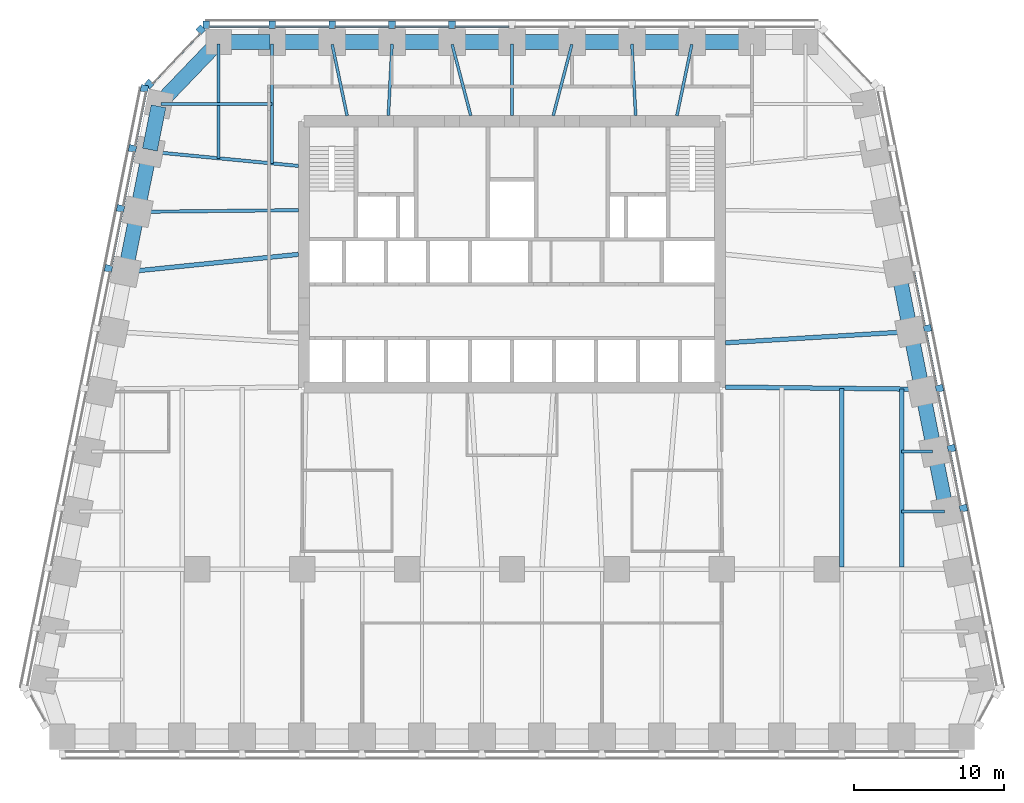
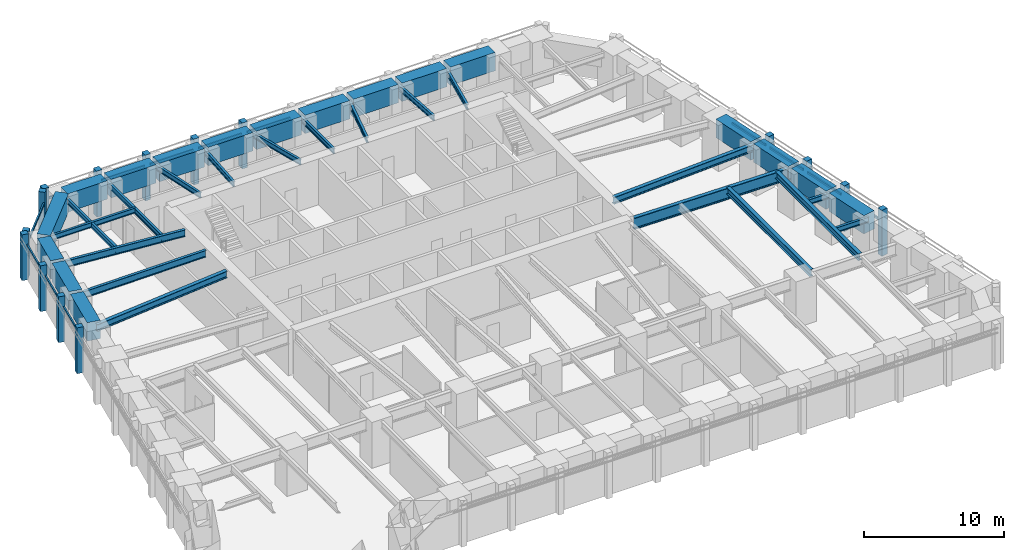
# One storey, part 3 of 9: 36 beams, 28 members, 4 elements without a shape of their own.
"""IFC4 building model written with IfcOpenShell, lengths in metres."""

from ifc_helpers import new_model, si_unit, direction, frame, origin, origin_2d, place, context, subcontext, project, spatial, rectangle, i_section, extrude, material, material_profile, profile_set, type_object, element, aggregate, save


model = new_model("IFC4")

# Units and contexts
model_context = context("Model", 3, precision=1e-05, world=origin(), true_north=direction((0.0, 1.0)))
body_context = subcontext(model_context, "Body", "Model", "MODEL_VIEW")
ifc_project = project(units=[si_unit("LENGTHUNIT", "METRE"), si_unit("AREAUNIT", "SQUARE_METRE"), si_unit("VOLUMEUNIT", "CUBIC_METRE"), si_unit("PLANEANGLEUNIT", "RADIAN"), si_unit("MASSUNIT", "GRAM", prefix="KILO")], contexts=[model_context])

# Site, building, storey
site_placement = place(None, origin())
site = spatial("IfcSite", under=ifc_project, at=site_placement, CompositionType="ELEMENT")
building_placement = place(site_placement, origin())
building = spatial("IfcBuilding", under=site, at=building_placement, Name="Isbrekke Arena Tower", CompositionType="ELEMENT")
storey_placement = place(building_placement, frame((0.0, 0.0, 127.0)))
storey = spatial("IfcBuildingStorey", under=building, at=storey_placement, Name="L28", CompositionType="ELEMENT", Elevation=127.0)

# Beams
ifc_material_1 = material(Name="Steel S355", Category="steel")
ifc_material_profile_1 = material_profile(ifc_material_1, i_section(OverallWidth=0.219970703125, OverallDepth=0.60009765625, WebThickness=0.011962890625, FlangeThickness=0.01904296875, FilletRadius=0.02392578125, at=origin_2d()), Name="IPE 600")
ifc_profile_set_1 = profile_set([ifc_material_profile_1], Name="Steel S355")
beam_type_1 = type_object("IfcBeamType", Name="B1 IPE 600", PredefinedType="BEAM", material=ifc_profile_set_1)
beam_1_placement = place(storey_placement, frame((-24.030517578125, 21.837158203125, 3.550048828125), z_axis=(0.995439798606, -0.095391862082, 0.0), x_axis=(0.095391862082, 0.995439798606, 0.0)))
element("IfcBeam", 1, at=beam_1_placement, inside=storey, type_object=beam_type_1, Name="B1 beam E-W02 L28", PredefinedType="BEAM", context=body_context, shape_type="SweptSolid", body=[
    extrude(i_section(OverallWidth=0.219970703125, OverallDepth=0.60009765625, WebThickness=0.011962890625, FlangeThickness=0.01904296875, FilletRadius=0.02392578125, at=origin_2d()), origin(), (0.0, 0.0, 1.0), 9.825439453125),
])
beam_2_placement = place(storey_placement, frame((-24.83984375, 17.838134765625, 3.550048828125), z_axis=(0.999944260169, 0.010558245831, 0.0), x_axis=(-0.010558245831, 0.999944260169, 0.0)))
element("IfcBeam", 2, at=beam_2_placement, inside=storey, type_object=beam_type_1, Name="B1 beam E-W03 L28", PredefinedType="BEAM", context=body_context, shape_type="SweptSolid", body=[
    extrude(i_section(OverallWidth=0.219970703125, OverallDepth=0.60009765625, WebThickness=0.011962890625, FlangeThickness=0.01904296875, FilletRadius=0.02392578125, at=origin_2d()), origin(), (0.0, 0.0, 1.0), 10.59033203125),
])
ifc_material_2 = material(Name="Steel S355", Category="steel")
ifc_material_profile_2 = material_profile(ifc_material_2, i_section(OverallWidth=0.18994140625, OverallDepth=0.449951171875, WebThickness=0.009521484375, FlangeThickness=0.0146484375, FilletRadius=0.02099609375, at=origin_2d()), Name="IPE 450")
ifc_profile_set_2 = profile_set([ifc_material_profile_2], Name="Steel S355")
beam_type_2 = type_object("IfcBeamType", Name="B2 IPE 450", PredefinedType="BEAM", material=ifc_profile_set_2)
beam_3_placement = place(storey_placement, frame((28.841064453125, -2.161865234375, 3.625), z_axis=(-1.0, 0.0, 0.0), x_axis=(0.0, -1.0, 0.0)))
element("IfcBeam", 3, at=beam_3_placement, inside=storey, type_object=beam_type_2, Name="B2 beam E-E04 L28", PredefinedType="BEAM", context=body_context, shape_type="SweptSolid", body=[
    extrude(i_section(OverallWidth=0.18994140625, OverallDepth=0.449951171875, WebThickness=0.009521484375, FlangeThickness=0.0146484375, FilletRadius=0.02099609375, at=origin_2d()), origin(), (0.0, 0.0, 1.0), 2.841064453125),
])
beam_4_placement = place(storey_placement, frame((28.041015625, 1.838134765625, 3.625), z_axis=(-1.0, 0.0, 0.0), x_axis=(0.0, -1.0, 0.0)))
element("IfcBeam", 4, at=beam_4_placement, inside=storey, type_object=beam_type_2, Name="B2 beam E-E05 L28", PredefinedType="BEAM", context=body_context, shape_type="SweptSolid", body=[
    extrude(i_section(OverallWidth=0.18994140625, OverallDepth=0.449951171875, WebThickness=0.009521484375, FlangeThickness=0.0146484375, FilletRadius=0.02099609375, at=origin_2d()), origin(), (0.0, 0.0, 1.0), 2.041015625),
])
beam_5_placement = place(storey_placement, frame((-23.40283203125, 25.029296875, 3.625), z_axis=(1.0, 0.0, 0.0), x_axis=(0.0, 1.0, 0.0)))
element("IfcBeam", 5, at=beam_5_placement, inside=storey, type_object=beam_type_2, Name="B2 beam E-W01 L28", PredefinedType="BEAM", context=body_context, shape_type="SweptSolid", body=[
    extrude(i_section(OverallWidth=0.18994140625, OverallDepth=0.449951171875, WebThickness=0.009521484375, FlangeThickness=0.0146484375, FilletRadius=0.02099609375, at=origin_2d()), origin(), (0.0, 0.0, 1.0), 7.40283203125),
])
ifc_material_3 = material(Name="Steel S355", Category="steel")
ifc_material_profile_3 = material_profile(ifc_material_3, i_section(OverallWidth=0.18994140625, OverallDepth=0.449951171875, WebThickness=0.009521484375, FlangeThickness=0.0146484375, FilletRadius=0.02099609375, at=origin_2d()), Name="IPE 450")
ifc_profile_set_3 = profile_set([ifc_material_profile_3], Name="Steel S355")
beam_type_3 = type_object("IfcBeamType", Name="B3 IPE 450", PredefinedType="BEAM", material=ifc_profile_set_3)
beam_6_placement = place(storey_placement, frame((-16.0, 29.02490234375, 3.625), z_axis=(0.0, -1.0, 0.0), x_axis=(1.0, 0.0, 0.0)))
element("IfcBeam", 6, at=beam_6_placement, inside=storey, type_object=beam_type_3, Name="B3 beam N-N10 L28", PredefinedType="BEAM", context=body_context, shape_type="SweptSolid", body=[
    extrude(i_section(OverallWidth=0.18994140625, OverallDepth=0.449951171875, WebThickness=0.009521484375, FlangeThickness=0.0146484375, FilletRadius=0.02099609375, at=origin_2d()), origin(), (0.0, 0.0, 1.0), 7.957275390625),
])
beam_7_placement = place(storey_placement, frame((-19.574951171875, 29.02490234375, 3.625), z_axis=(0.0, -1.0, 0.0), x_axis=(1.0, 0.0, 0.0)))
element("IfcBeam", 7, at=beam_7_placement, inside=storey, type_object=beam_type_3, Name="B3 beam N-N11 L28", PredefinedType="BEAM", context=body_context, shape_type="SweptSolid", body=[
    extrude(i_section(OverallWidth=0.18994140625, OverallDepth=0.449951171875, WebThickness=0.009521484375, FlangeThickness=0.0146484375, FilletRadius=0.02099609375, at=origin_2d()), origin(), (0.0, 0.0, 1.0), 7.61474609375),
])
beam_8_placement = place(storey_placement, frame((11.99609375, 29.005859375, 3.625), z_axis=(-0.20499748459, -0.978762499952, 0.0), x_axis=(0.978762499952, -0.20499748459, 0.0)))
element("IfcBeam", 8, at=beam_8_placement, inside=storey, type_object=beam_type_3, Name="B3 beam N-N03 L28", PredefinedType="BEAM", context=body_context, shape_type="SweptSolid", body=[
    extrude(i_section(OverallWidth=0.18994140625, OverallDepth=0.449951171875, WebThickness=0.009521484375, FlangeThickness=0.0146484375, FilletRadius=0.02099609375, at=origin_2d()), origin(), (0.0, 0.0, 1.0), 4.859130859375),
])
beam_9_placement = place(storey_placement, frame((8.000244140625, 29.02001953125, 3.625), z_axis=(0.052287879538, -0.998632053187, 0.0), x_axis=(0.998632053187, 0.052287879538, 0.0)))
element("IfcBeam", 9, at=beam_9_placement, inside=storey, type_object=beam_type_3, Name="B3 beam N-N04 L28", PredefinedType="BEAM", context=body_context, shape_type="SweptSolid", body=[
    extrude(i_section(OverallWidth=0.18994140625, OverallDepth=0.449951171875, WebThickness=0.009521484375, FlangeThickness=0.0146484375, FilletRadius=0.02099609375, at=origin_2d()), origin(), (0.0, 0.0, 1.0), 4.776611328125),
])
beam_10_placement = place(storey_placement, frame((3.993896484375, 29.001708984375, 3.625), z_axis=(-0.253245319824, -0.967402092197, 0.0), x_axis=(0.967402092197, -0.253245319824, 0.0)))
element("IfcBeam", 10, at=beam_10_placement, inside=storey, type_object=beam_type_3, Name="B3 beam N-N05 L28", PredefinedType="BEAM", context=body_context, shape_type="SweptSolid", body=[
    extrude(i_section(OverallWidth=0.18994140625, OverallDepth=0.449951171875, WebThickness=0.009521484375, FlangeThickness=0.0146484375, FilletRadius=0.02099609375, at=origin_2d()), origin(), (0.0, 0.0, 1.0), 4.911865234375),
])
beam_11_placement = place(storey_placement, frame((0.0, 29.02490234375, 3.625), z_axis=(0.0, -1.0, 0.0), x_axis=(1.0, 0.0, 0.0)))
element("IfcBeam", 11, at=beam_11_placement, inside=storey, type_object=beam_type_3, Name="B3 beam N-N06 L28", PredefinedType="BEAM", context=body_context, shape_type="SweptSolid", body=[
    extrude(i_section(OverallWidth=0.18994140625, OverallDepth=0.449951171875, WebThickness=0.009521484375, FlangeThickness=0.0146484375, FilletRadius=0.02099609375, at=origin_2d()), origin(), (0.0, 0.0, 1.0), 4.77490234375),
])
beam_12_placement = place(storey_placement, frame((-3.993896484375, 29.001708984375, 3.625), z_axis=(0.253245319824, -0.967402092197, 0.0), x_axis=(0.967402092197, 0.253245319824, 0.0)))
element("IfcBeam", 12, at=beam_12_placement, inside=storey, type_object=beam_type_3, Name="B3 beam N-N07 L28", PredefinedType="BEAM", context=body_context, shape_type="SweptSolid", body=[
    extrude(i_section(OverallWidth=0.18994140625, OverallDepth=0.449951171875, WebThickness=0.009521484375, FlangeThickness=0.0146484375, FilletRadius=0.02099609375, at=origin_2d()), origin(), (0.0, 0.0, 1.0), 4.911865234375),
])
beam_13_placement = place(storey_placement, frame((-8.000244140625, 29.02001953125, 3.625), z_axis=(-0.052287879538, -0.998632053187, 0.0), x_axis=(0.998632053187, -0.052287879538, 0.0)))
element("IfcBeam", 13, at=beam_13_placement, inside=storey, type_object=beam_type_3, Name="B3 beam N-N08 L28", PredefinedType="BEAM", context=body_context, shape_type="SweptSolid", body=[
    extrude(i_section(OverallWidth=0.18994140625, OverallDepth=0.449951171875, WebThickness=0.009521484375, FlangeThickness=0.0146484375, FilletRadius=0.02099609375, at=origin_2d()), origin(), (0.0, 0.0, 1.0), 4.776611328125),
])
beam_14_placement = place(storey_placement, frame((-11.99609375, 29.005859375, 3.625), z_axis=(0.20499748459, -0.978762499952, 0.0), x_axis=(0.978762499952, 0.20499748459, 0.0)))
element("IfcBeam", 14, at=beam_14_placement, inside=storey, type_object=beam_type_3, Name="B3 beam N-N09 L28", PredefinedType="BEAM", context=body_context, shape_type="SweptSolid", body=[
    extrude(i_section(OverallWidth=0.18994140625, OverallDepth=0.449951171875, WebThickness=0.009521484375, FlangeThickness=0.0146484375, FilletRadius=0.02099609375, at=origin_2d()), origin(), (0.0, 0.0, 1.0), 4.859130859375),
])
ifc_material_4 = material(Name="Steel S355", Category="steel")
ifc_material_profile_4 = material_profile(ifc_material_4, i_section(OverallWidth=0.300048828125, OverallDepth=0.60009765625, WebThickness=0.015380859375, FlangeThickness=0.030029296875, FilletRadius=0.027099609375, at=origin_2d()), Name="HEB 600")
ifc_profile_set_4 = profile_set([ifc_material_profile_4], Name="Steel S355")
beam_type_4 = type_object("IfcBeamType", Name="B7 HEB 600", PredefinedType="BEAM", material=ifc_profile_set_4)
beam_15_placement = place(storey_placement, frame((22.0, -5.84912109375, 3.550048828125), z_axis=(0.0, 1.0, 0.0), x_axis=(-1.0, 0.0, 0.0)))
element("IfcBeam", 15, at=beam_15_placement, inside=storey, type_object=beam_type_4, Name="B7 beam C-M13 L28", PredefinedType="BEAM", context=body_context, shape_type="SweptSolid", body=[
    extrude(i_section(OverallWidth=0.300048828125, OverallDepth=0.60009765625, WebThickness=0.015380859375, FlangeThickness=0.030029296875, FilletRadius=0.027099609375, at=origin_2d()), origin(), (0.0, 0.0, 1.0), 11.91064453125),
])
beam_16_placement = place(storey_placement, frame((26.0, -5.84912109375, 3.550048828125), z_axis=(0.0, 1.0, 0.0), x_axis=(-1.0, 0.0, 0.0)))
element("IfcBeam", 16, at=beam_16_placement, inside=storey, type_object=beam_type_4, Name="B7 beam C-M14 L28", PredefinedType="BEAM", context=body_context, shape_type="SweptSolid", body=[
    extrude(i_section(OverallWidth=0.300048828125, OverallDepth=0.60009765625, WebThickness=0.015380859375, FlangeThickness=0.030029296875, FilletRadius=0.027099609375, at=origin_2d()), origin(), (0.0, 0.0, 1.0), 11.864990234375),
])
beam_17_placement = place(storey_placement, frame((26.431884765625, 9.837646484375, 3.550048828125), z_axis=(-0.998172191876, -0.060434057993, 0.0), x_axis=(0.060434057993, -0.998172191876, 0.0)))
element("IfcBeam", 17, at=beam_17_placement, inside=storey, type_object=beam_type_4, Name="B7 beam E-E07 L28", PredefinedType="BEAM", context=body_context, shape_type="SweptSolid", body=[
    extrude(i_section(OverallWidth=0.300048828125, OverallDepth=0.60009765625, WebThickness=0.015380859375, FlangeThickness=0.030029296875, FilletRadius=0.027099609375, at=origin_2d()), origin(), (0.0, 0.0, 1.0), 12.2041015625),
])
beam_18_placement = place(storey_placement, frame((-25.6259765625, 13.83984375, 3.550048828125), z_axis=(0.994839949319, 0.10145676537, 0.0), x_axis=(-0.10145676537, 0.994839949319, 0.0)))
element("IfcBeam", 18, at=beam_18_placement, inside=storey, type_object=beam_type_4, Name="B7 beam E-W04 L28", PredefinedType="BEAM", context=body_context, shape_type="SweptSolid", body=[
    extrude(i_section(OverallWidth=0.300048828125, OverallDepth=0.60009765625, WebThickness=0.015380859375, FlangeThickness=0.030029296875, FilletRadius=0.027099609375, at=origin_2d()), origin(), (0.0, 0.0, 1.0), 11.43505859375),
])

# Curtain wall, members
ifc_material_5 = material(Name="Glazed aluminium curtain wall", Category="aluminium")
curtain_wall_type = type_object("IfcCurtainWallType", Name="CWM TOWER CURTAIN WALL MID ZONE", PredefinedType="USERDEFINED", material=ifc_material_5)
curtain_wall_1_placement = place(storey_placement, origin())
curtain_wall_1 = element("IfcCurtainWall", 19, at=curtain_wall_1_placement, inside=storey, type_object=curtain_wall_type, Name="CWM curtain wall L28-E", ObjectType="TOWER CURTAIN WALL MID ZONE", PredefinedType="USERDEFINED")
ifc_material_6 = material(Name="Aluminium mullion, pale brick slip cladding", Category="masonry")
ifc_material_profile_5 = material_profile(ifc_material_6, rectangle(XDim=0.449951171875, YDim=0.5, at=origin_2d()), Name="PIER 450X500")
ifc_profile_set_5 = profile_set([ifc_material_profile_5], Name="Aluminium mullion, pale brick slip cladding")
member_type_1 = type_object("IfcMemberType", Name="CWM-M PIER MULLION 450 x 500", PredefinedType="MULLION", material=ifc_profile_set_5)
member_1_placement = place(storey_placement, frame((30.11865234375, -1.936279296875, 0.0), z_axis=(0.0, 0.0, 1.0), x_axis=(-0.196116135138, 0.980580675691, 0.0)))
member_1 = element("IfcMember", 20, at=member_1_placement, type_object=member_type_1, Name="CWM-M mullion 4", PredefinedType="MULLION", context=body_context, shape_type="SweptSolid", body=[
    extrude(rectangle(XDim=0.449951171875, YDim=0.5, at=origin_2d()), origin(), (0.0, 0.0, 1.0), 4.0),
])
member_2_placement = place(storey_placement, frame((29.318603515625, 2.063720703125, 0.0), z_axis=(0.0, 0.0, 1.0), x_axis=(-0.196116135138, 0.980580675691, 0.0)))
member_2 = element("IfcMember", 21, at=member_2_placement, type_object=member_type_1, Name="CWM-M mullion 5", PredefinedType="MULLION", context=body_context, shape_type="SweptSolid", body=[
    extrude(rectangle(XDim=0.449951171875, YDim=0.5, at=origin_2d()), origin(), (0.0, 0.0, 1.0), 4.0),
])
member_3_placement = place(storey_placement, frame((28.518798828125, 6.063720703125, 0.0), z_axis=(0.0, 0.0, 1.0), x_axis=(-0.196116135138, 0.980580675691, 0.0)))
member_3 = element("IfcMember", 22, at=member_3_placement, type_object=member_type_1, Name="CWM-M mullion 6", PredefinedType="MULLION", context=body_context, shape_type="SweptSolid", body=[
    extrude(rectangle(XDim=0.449951171875, YDim=0.5, at=origin_2d()), origin(), (0.0, 0.0, 1.0), 4.0),
])
member_4_placement = place(storey_placement, frame((27.71875, 10.063720703125, 0.0), z_axis=(0.0, 0.0, 1.0), x_axis=(-0.196116135138, 0.980580675691, 0.0)))
member_4 = element("IfcMember", 23, at=member_4_placement, type_object=member_type_1, Name="CWM-M mullion 7", PredefinedType="MULLION", context=body_context, shape_type="SweptSolid", body=[
    extrude(rectangle(XDim=0.449951171875, YDim=0.5, at=origin_2d()), origin(), (0.0, 0.0, 1.0), 4.0),
])

curtain_wall_2_placement = place(storey_placement, origin())
curtain_wall_2 = element("IfcCurtainWall", 24, at=curtain_wall_2_placement, inside=storey, type_object=curtain_wall_type, Name="CWM curtain wall L28-N", ObjectType="TOWER CURTAIN WALL MID ZONE", PredefinedType="USERDEFINED")
member_5_placement = place(storey_placement, frame((-4.0, 30.324951171875, 0.0), z_axis=(0.0, 0.0, 1.0), x_axis=(-1.0, 0.0, 0.0)))
member_5 = element("IfcMember", 25, at=member_5_placement, type_object=member_type_1, Name="CWM-M mullion 7", PredefinedType="MULLION", context=body_context, shape_type="SweptSolid", body=[
    extrude(rectangle(XDim=0.449951171875, YDim=0.5, at=origin_2d()), origin(), (0.0, 0.0, 1.0), 4.0),
])
member_6_placement = place(storey_placement, frame((-8.0, 30.324951171875, 0.0), z_axis=(0.0, 0.0, 1.0), x_axis=(-1.0, 0.0, 0.0)))
member_6 = element("IfcMember", 26, at=member_6_placement, type_object=member_type_1, Name="CWM-M mullion 8", PredefinedType="MULLION", context=body_context, shape_type="SweptSolid", body=[
    extrude(rectangle(XDim=0.449951171875, YDim=0.5, at=origin_2d()), origin(), (0.0, 0.0, 1.0), 4.0),
])
member_7_placement = place(storey_placement, frame((-12.0, 30.324951171875, 0.0), z_axis=(0.0, 0.0, 1.0), x_axis=(-1.0, 0.0, 0.0)))
member_7 = element("IfcMember", 27, at=member_7_placement, type_object=member_type_1, Name="CWM-M mullion 9", PredefinedType="MULLION", context=body_context, shape_type="SweptSolid", body=[
    extrude(rectangle(XDim=0.449951171875, YDim=0.5, at=origin_2d()), origin(), (0.0, 0.0, 1.0), 4.0),
])
member_8_placement = place(storey_placement, frame((-16.0, 30.324951171875, 0.0), z_axis=(0.0, 0.0, 1.0), x_axis=(-1.0, 0.0, 0.0)))
member_8 = element("IfcMember", 28, at=member_8_placement, type_object=member_type_1, Name="CWM-M mullion 10", PredefinedType="MULLION", context=body_context, shape_type="SweptSolid", body=[
    extrude(rectangle(XDim=0.449951171875, YDim=0.5, at=origin_2d()), origin(), (0.0, 0.0, 1.0), 4.0),
])
member_9_placement = place(storey_placement, frame((-20.39990234375, 30.324951171875, 0.0), z_axis=(0.0, 0.0, 1.0), x_axis=(-1.0, 0.0, 0.0)))
member_9 = element("IfcMember", 29, at=member_9_placement, type_object=member_type_1, Name="CWM-M mullion 11", PredefinedType="MULLION", context=body_context, shape_type="SweptSolid", body=[
    extrude(rectangle(XDim=0.449951171875, YDim=0.5, at=origin_2d()), origin(), (0.0, 0.0, 1.0), 4.0),
])

curtain_wall_3_placement = place(storey_placement, origin())
curtain_wall_3 = element("IfcCurtainWall", 30, at=curtain_wall_3_placement, inside=storey, type_object=curtain_wall_type, Name="CWM curtain wall L28-NW", ObjectType="TOWER CURTAIN WALL MID ZONE", PredefinedType="USERDEFINED")
member_10_placement = place(storey_placement, frame((-20.759033203125, 29.985107421875, 0.0), z_axis=(0.0, 0.0, 1.0), x_axis=(-0.68874946192, -0.72499943359, 0.0)))
member_10 = element("IfcMember", 31, at=member_10_placement, type_object=member_type_1, Name="CWM-M mullion 1", PredefinedType="MULLION", context=body_context, shape_type="SweptSolid", body=[
    extrude(rectangle(XDim=0.449951171875, YDim=0.5, at=origin_2d()), origin(), (0.0, 0.0, 1.0), 4.0),
])
member_11_placement = place(storey_placement, frame((-24.207763671875, 26.35498046875, 0.0), z_axis=(0.0, 0.0, 1.0), x_axis=(-0.68874946192, -0.72499943359, 0.0)))
member_11 = element("IfcMember", 32, at=member_11_placement, type_object=member_type_1, Name="CWM-M mullion 2", PredefinedType="MULLION", context=body_context, shape_type="SweptSolid", body=[
    extrude(rectangle(XDim=0.449951171875, YDim=0.5, at=origin_2d()), origin(), (0.0, 0.0, 1.0), 4.0),
])

curtain_wall_4_placement = place(storey_placement, origin())
curtain_wall_4 = element("IfcCurtainWall", 33, at=curtain_wall_4_placement, inside=storey, type_object=curtain_wall_type, Name="CWM curtain wall L28-W", ObjectType="TOWER CURTAIN WALL MID ZONE", PredefinedType="USERDEFINED")
member_12_placement = place(storey_placement, frame((-24.518798828125, 26.063720703125, 0.0), z_axis=(0.0, 0.0, 1.0), x_axis=(-0.196116135138, -0.980580675691, 0.0)))
member_12 = element("IfcMember", 34, at=member_12_placement, type_object=member_type_1, Name="CWM-M mullion 1", PredefinedType="MULLION", context=body_context, shape_type="SweptSolid", body=[
    extrude(rectangle(XDim=0.449951171875, YDim=0.5, at=origin_2d()), origin(), (0.0, 0.0, 1.0), 4.0),
])
member_13_placement = place(storey_placement, frame((-25.318603515625, 22.063720703125, 0.0), z_axis=(0.0, 0.0, 1.0), x_axis=(-0.196116135138, -0.980580675691, 0.0)))
member_13 = element("IfcMember", 35, at=member_13_placement, type_object=member_type_1, Name="CWM-M mullion 2", PredefinedType="MULLION", context=body_context, shape_type="SweptSolid", body=[
    extrude(rectangle(XDim=0.449951171875, YDim=0.5, at=origin_2d()), origin(), (0.0, 0.0, 1.0), 4.0),
])
member_14_placement = place(storey_placement, frame((-26.11865234375, 18.063720703125, 0.0), z_axis=(0.0, 0.0, 1.0), x_axis=(-0.196116135138, -0.980580675691, 0.0)))
member_14 = element("IfcMember", 36, at=member_14_placement, type_object=member_type_1, Name="CWM-M mullion 3", PredefinedType="MULLION", context=body_context, shape_type="SweptSolid", body=[
    extrude(rectangle(XDim=0.449951171875, YDim=0.5, at=origin_2d()), origin(), (0.0, 0.0, 1.0), 4.0),
])
member_15_placement = place(storey_placement, frame((-26.918701171875, 14.063720703125, 0.0), z_axis=(0.0, 0.0, 1.0), x_axis=(-0.196116135138, -0.980580675691, 0.0)))
member_15 = element("IfcMember", 37, at=member_15_placement, type_object=member_type_1, Name="CWM-M mullion 4", PredefinedType="MULLION", context=body_context, shape_type="SweptSolid", body=[
    extrude(rectangle(XDim=0.449951171875, YDim=0.5, at=origin_2d()), origin(), (0.0, 0.0, 1.0), 4.0),
])

# Member
ifc_material_7 = material(Name="Aluminium transom", Category="aluminium")
ifc_material_profile_6 = material_profile(ifc_material_7, rectangle(XDim=0.1201171875, YDim=0.199951171875, at=origin_2d()), Name="TRANSOM 120X200")
ifc_profile_set_6 = profile_set([ifc_material_profile_6], Name="Aluminium transom")
member_type_2 = type_object("IfcMemberType", Name="CWM-T TRANSOM 120 x 200", PredefinedType="USERDEFINED", material=ifc_profile_set_6)
member_16_placement = place(storey_placement, frame((29.927490234375, -1.7451171875, 3.0), z_axis=(-0.196090262229, 0.980585849918, 0.0), x_axis=(-0.980585849918, -0.196090262229, 0.0)))
member_16 = element("IfcMember", 38, at=member_16_placement, type_object=member_type_2, Name="CWM-T transom 4", ObjectType="TRANSOM", PredefinedType="USERDEFINED", context=body_context, shape_type="SweptSolid", body=[
    extrude(rectangle(XDim=0.1201171875, YDim=0.199951171875, at=origin_2d()), origin(), (0.0, 0.0, 1.0), 3.62939453125),
])

member_17_placement = place(storey_placement, frame((29.12744140625, 2.2548828125, 3.0), z_axis=(-0.196090262229, 0.980585849918, 0.0), x_axis=(-0.980585849918, -0.196090262229, 0.0)))
member_17 = element("IfcMember", 39, at=member_17_placement, type_object=member_type_2, Name="CWM-T transom 5", ObjectType="TRANSOM", PredefinedType="USERDEFINED", context=body_context, shape_type="SweptSolid", body=[
    extrude(rectangle(XDim=0.1201171875, YDim=0.199951171875, at=origin_2d()), origin(), (0.0, 0.0, 1.0), 3.62939453125),
])

member_18_placement = place(storey_placement, frame((28.327392578125, 6.2548828125, 3.0), z_axis=(-0.196090262229, 0.980585849918, 0.0), x_axis=(-0.980585849918, -0.196090262229, 0.0)))
member_18 = element("IfcMember", 40, at=member_18_placement, type_object=member_type_2, Name="CWM-T transom 6", ObjectType="TRANSOM", PredefinedType="USERDEFINED", context=body_context, shape_type="SweptSolid", body=[
    extrude(rectangle(XDim=0.1201171875, YDim=0.199951171875, at=origin_2d()), origin(), (0.0, 0.0, 1.0), 3.62939453125),
])

member_19_placement = place(storey_placement, frame((27.527587890625, 10.2548828125, 3.0), z_axis=(-0.196154943734, 0.980572913173, 0.0), x_axis=(-0.980572913173, -0.196154943734, 0.0)))
member_19 = element("IfcMember", 41, at=member_19_placement, type_object=member_type_2, Name="CWM-T transom 7", ObjectType="TRANSOM", PredefinedType="USERDEFINED", context=body_context, shape_type="SweptSolid", body=[
    extrude(rectangle(XDim=0.1201171875, YDim=0.199951171875, at=origin_2d()), origin(), (0.0, 0.0, 1.0), 3.62939453125),
])

aggregate(curtain_wall_1, [member_1, member_2, member_3, member_4, member_16, member_17, member_18, member_19])

member_20_placement = place(storey_placement, frame((-0.22509765625, 30.175048828125, 3.0), z_axis=(-1.0, 0.0, 0.0), x_axis=(0.0, -1.0, 0.0)))
member_20 = element("IfcMember", 42, at=member_20_placement, type_object=member_type_2, Name="CWM-T transom 6", ObjectType="TRANSOM", PredefinedType="USERDEFINED", context=body_context, shape_type="SweptSolid", body=[
    extrude(rectangle(XDim=0.1201171875, YDim=0.199951171875, at=origin_2d()), origin(), (0.0, 0.0, 1.0), 3.5498046875),
])

member_21_placement = place(storey_placement, frame((-4.22509765625, 30.175048828125, 3.0), z_axis=(-1.0, 0.0, 0.0), x_axis=(0.0, -1.0, 0.0)))
member_21 = element("IfcMember", 43, at=member_21_placement, type_object=member_type_2, Name="CWM-T transom 7", ObjectType="TRANSOM", PredefinedType="USERDEFINED", context=body_context, shape_type="SweptSolid", body=[
    extrude(rectangle(XDim=0.1201171875, YDim=0.199951171875, at=origin_2d()), origin(), (0.0, 0.0, 1.0), 3.5498046875),
])

member_22_placement = place(storey_placement, frame((-8.22509765625, 30.175048828125, 3.0), z_axis=(-1.0, 0.0, 0.0), x_axis=(0.0, -1.0, 0.0)))
member_22 = element("IfcMember", 44, at=member_22_placement, type_object=member_type_2, Name="CWM-T transom 8", ObjectType="TRANSOM", PredefinedType="USERDEFINED", context=body_context, shape_type="SweptSolid", body=[
    extrude(rectangle(XDim=0.1201171875, YDim=0.199951171875, at=origin_2d()), origin(), (0.0, 0.0, 1.0), 3.5498046875),
])

member_23_placement = place(storey_placement, frame((-12.22509765625, 30.175048828125, 3.0), z_axis=(-1.0, 0.0, 0.0), x_axis=(0.0, -1.0, 0.0)))
member_23 = element("IfcMember", 45, at=member_23_placement, type_object=member_type_2, Name="CWM-T transom 9", ObjectType="TRANSOM", PredefinedType="USERDEFINED", context=body_context, shape_type="SweptSolid", body=[
    extrude(rectangle(XDim=0.1201171875, YDim=0.199951171875, at=origin_2d()), origin(), (0.0, 0.0, 1.0), 3.5498046875),
])

member_24_placement = place(storey_placement, frame((-16.22509765625, 30.175048828125, 3.0), z_axis=(-1.0, 0.0, 0.0), x_axis=(0.0, -1.0, 0.0)))
member_24 = element("IfcMember", 46, at=member_24_placement, type_object=member_type_2, Name="CWM-T transom 10", ObjectType="TRANSOM", PredefinedType="USERDEFINED", context=body_context, shape_type="SweptSolid", body=[
    extrude(rectangle(XDim=0.1201171875, YDim=0.199951171875, at=origin_2d()), origin(), (0.0, 0.0, 1.0), 3.949951171875),
])

aggregate(curtain_wall_2, [member_5, member_6, member_7, member_8, member_9, member_20, member_21, member_22, member_23, member_24])

member_25_placement = place(storey_placement, frame((-20.80517578125, 29.71875, 3.0), z_axis=(-0.688739606035, -0.725008796552, 0.0), x_axis=(0.725008796552, -0.688739606035, 0.0)))
member_25 = element("IfcMember", 47, at=member_25_placement, type_object=member_type_2, Name="CWM-T transom 1", ObjectType="TRANSOM", PredefinedType="USERDEFINED", context=body_context, shape_type="SweptSolid", body=[
    extrude(rectangle(XDim=0.1201171875, YDim=0.199951171875, at=origin_2d()), origin(), (0.0, 0.0, 1.0), 4.55712890625),
])

aggregate(curtain_wall_3, [member_10, member_11, member_25])

member_26_placement = place(storey_placement, frame((-24.415771484375, 25.813720703125, 3.0), z_axis=(-0.196090262229, -0.980585849918, 0.0), x_axis=(0.980585849918, -0.196090262229, 0.0)))
member_26 = element("IfcMember", 48, at=member_26_placement, type_object=member_type_2, Name="CWM-T transom 1", ObjectType="TRANSOM", PredefinedType="USERDEFINED", context=body_context, shape_type="SweptSolid", body=[
    extrude(rectangle(XDim=0.1201171875, YDim=0.199951171875, at=origin_2d()), origin(), (0.0, 0.0, 1.0), 3.62939453125),
])

member_27_placement = place(storey_placement, frame((-25.2158203125, 21.813720703125, 3.0), z_axis=(-0.196090262229, -0.980585849918, 0.0), x_axis=(0.980585849918, -0.196090262229, 0.0)))
member_27 = element("IfcMember", 49, at=member_27_placement, type_object=member_type_2, Name="CWM-T transom 2", ObjectType="TRANSOM", PredefinedType="USERDEFINED", context=body_context, shape_type="SweptSolid", body=[
    extrude(rectangle(XDim=0.1201171875, YDim=0.199951171875, at=origin_2d()), origin(), (0.0, 0.0, 1.0), 3.62939453125),
])

member_28_placement = place(storey_placement, frame((-26.015625, 17.813720703125, 3.0), z_axis=(-0.196154943734, -0.980572913173, 0.0), x_axis=(0.980572913173, -0.196154943734, 0.0)))
member_28 = element("IfcMember", 50, at=member_28_placement, type_object=member_type_2, Name="CWM-T transom 3", ObjectType="TRANSOM", PredefinedType="USERDEFINED", context=body_context, shape_type="SweptSolid", body=[
    extrude(rectangle(XDim=0.1201171875, YDim=0.199951171875, at=origin_2d()), origin(), (0.0, 0.0, 1.0), 3.62939453125),
])

aggregate(curtain_wall_4, [member_12, member_13, member_14, member_15, member_26, member_27, member_28])

# Beams
ifc_material_8 = material(Name="Steel S355", Category="steel")
ifc_material_profile_7 = material_profile(ifc_material_8, i_section(OverallWidth=0.302001953125, OverallDepth=1.008056640625, WebThickness=0.02099609375, FlangeThickness=0.0400390625, FilletRadius=0.030029296875, at=origin_2d()), Name="HEM 1000")
ifc_profile_set_7 = profile_set([ifc_material_profile_7], Name="Steel S355")
beam_type_5 = type_object("IfcBeamType", Name="G2 HEM 1000", PredefinedType="BEAM", material=ifc_profile_set_7)
beam_19_placement = place(storey_placement, frame((14.25, 6.14990234375, 3.345947265625), z_axis=(0.999934928157, -0.011407867963, 0.0), x_axis=(0.011407867963, 0.999934928157, 0.0)))
element("IfcBeam", 51, at=beam_19_placement, inside=storey, type_object=beam_type_5, Name="G2 beam G2-E L28", PredefinedType="BEAM", context=body_context, shape_type="SweptSolid", body=[
    extrude(i_section(OverallWidth=0.302001953125, OverallDepth=1.008056640625, WebThickness=0.02099609375, FlangeThickness=0.0400390625, FilletRadius=0.030029296875, at=origin_2d()), origin(), (0.0, 0.0, 1.0), 13.140380859375),
])
ifc_material_9 = material(Name="Concrete B80 (C80/95)", Category="concrete")
ifc_material_profile_8 = material_profile(ifc_material_9, rectangle(XDim=1.0, YDim=1.60009765625, at=origin_2d()), Name="RC 1000x1600")
ifc_profile_set_8 = profile_set([ifc_material_profile_8], Name="Concrete B80 (C80/95)")
beam_type_6 = type_object("IfcBeamType", Name="SB2 RC 1000 x 1600", PredefinedType="SPANDREL", material=ifc_profile_set_8)
for number, where, z_axis, x_axis, name in (
    (52, (28.961669921875, -2.0146484375, 3.199951171875), (-0.196128558387, 0.980578190959, 0.0), (-0.980578190959, -0.196128558387, 0.0), "SB2 spandrel E04-E05 L28"),
    (53, (28.16162109375, 1.9853515625, 3.199951171875), (-0.196128558387, 0.980578190959, 0.0), (-0.980578190959, -0.196128558387, 0.0), "SB2 spandrel E05-E06 L28"),
    (54, (27.361572265625, 5.9853515625, 3.199951171875), (-0.196128558387, 0.980578190959, 0.0), (-0.980578190959, -0.196128558387, 0.0), "SB2 spandrel E06-E07 L28"),
):
    element("IfcBeam", number, at=place(storey_placement, frame(where, z_axis=z_axis, x_axis=x_axis)), inside=storey, type_object=beam_type_6, Name=name, PredefinedType="SPANDREL", context=body_context, shape_type="SweptSolid", body=[
        extrude(rectangle(XDim=1.0, YDim=1.60009765625, at=origin_2d()), origin(), (0.0, 0.0, 1.0), 3.779296875),
    ])
beam_20_placement = place(storey_placement, frame((26.5615234375, 9.9853515625, 3.199951171875), z_axis=(-0.1960664412, 0.980590613169, 0.0), x_axis=(-0.980590613169, -0.1960664412, 0.0)))
element("IfcBeam", 55, at=beam_20_placement, inside=storey, type_object=beam_type_6, Name="SB2 spandrel E07-E08 L28", PredefinedType="SPANDREL", context=body_context, shape_type="SweptSolid", body=[
    extrude(rectangle(XDim=1.0, YDim=1.60009765625, at=origin_2d()), origin(), (0.0, 0.0, 1.0), 3.779052734375),
])
for number, where, z_axis, x_axis, name in (
    (56, (15.85009765625, 29.175048828125, 3.199951171875), (-1.0, 0.0, 0.0), (0.0, -1.0, 0.0), "SB2 spandrel N02-N03 L28"),
    (57, (11.85009765625, 29.175048828125, 3.199951171875), (-1.0, 0.0, 0.0), (0.0, -1.0, 0.0), "SB2 spandrel N03-N04 L28"),
    (58, (7.85009765625, 29.175048828125, 3.199951171875), (-1.0, 0.0, 0.0), (0.0, -1.0, 0.0), "SB2 spandrel N04-N05 L28"),
    (59, (3.85009765625, 29.175048828125, 3.199951171875), (-1.0, 0.0, 0.0), (0.0, -1.0, 0.0), "SB2 spandrel N05-N06 L28"),
    (60, (-0.14990234375, 29.175048828125, 3.199951171875), (-1.0, 0.0, 0.0), (0.0, -1.0, 0.0), "SB2 spandrel N06-N07 L28"),
    (61, (-4.14990234375, 29.175048828125, 3.199951171875), (-1.0, 0.0, 0.0), (0.0, -1.0, 0.0), "SB2 spandrel N07-N08 L28"),
    (62, (-8.14990234375, 29.175048828125, 3.199951171875), (-1.0, 0.0, 0.0), (0.0, -1.0, 0.0), "SB2 spandrel N08-N09 L28"),
    (63, (-12.14990234375, 29.175048828125, 3.199951171875), (-1.0, 0.0, 0.0), (0.0, -1.0, 0.0), "SB2 spandrel N09-N10 L28"),
):
    element("IfcBeam", number, at=place(storey_placement, frame(where, z_axis=z_axis, x_axis=x_axis)), inside=storey, type_object=beam_type_6, Name=name, PredefinedType="SPANDREL", context=body_context, shape_type="SweptSolid", body=[
        extrude(rectangle(XDim=1.0, YDim=1.60009765625, at=origin_2d()), origin(), (0.0, 0.0, 1.0), 3.7001953125),
    ])
beam_21_placement = place(storey_placement, frame((-16.14990234375, 29.175048828125, 3.199951171875), z_axis=(-1.0, 0.0, 0.0), x_axis=(0.0, -1.0, 0.0)))
element("IfcBeam", 64, at=beam_21_placement, inside=storey, type_object=beam_type_6, Name="SB2 spandrel N10-N11 L28", PredefinedType="SPANDREL", context=body_context, shape_type="SweptSolid", body=[
    extrude(rectangle(XDim=1.0, YDim=1.60009765625, at=origin_2d()), origin(), (0.0, 0.0, 1.0), 3.275146484375),
])
beam_22_placement = place(storey_placement, frame((-19.678955078125, 29.066650390625, 3.199951171875), z_axis=(-0.692339547635, -0.721571861134, 0.0), x_axis=(0.721571861134, -0.692339547635, 0.0)))
element("IfcBeam", 65, at=beam_22_placement, inside=storey, type_object=beam_type_6, Name="SB2 spandrel N11-W01 L28", PredefinedType="SPANDREL", context=body_context, shape_type="SweptSolid", body=[
    extrude(rectangle(XDim=1.0, YDim=1.60009765625, at=origin_2d()), origin(), (0.0, 0.0, 1.0), 5.4453125),
])
beam_23_placement = place(storey_placement, frame((-23.582275390625, 24.882080078125, 3.199951171875), z_axis=(-0.196116135138, -0.980580675691, 0.0), x_axis=(0.980580675691, -0.196116135138, 0.0)))
element("IfcBeam", 66, at=beam_23_placement, inside=storey, type_object=beam_type_6, Name="SB2 spandrel W01-W02 L28", PredefinedType="SPANDREL", context=body_context, shape_type="SweptSolid", body=[
    extrude(rectangle(XDim=1.0, YDim=1.60009765625, at=origin_2d()), origin(), (0.0, 0.0, 1.0), 2.9541015625),
])
for number, where, z_axis, x_axis, name in (
    (67, (-24.220458984375, 21.691162109375, 3.199951171875), (-0.196128558387, -0.980578190959, 0.0), (0.980578190959, -0.196128558387, 0.0), "SB2 spandrel W02-W03 L28"),
    (68, (-25.0205078125, 17.691162109375, 3.199951171875), (-0.196128558387, -0.980578190959, 0.0), (0.980578190959, -0.196128558387, 0.0), "SB2 spandrel W03-W04 L28"),
):
    element("IfcBeam", number, at=place(storey_placement, frame(where, z_axis=z_axis, x_axis=x_axis)), inside=storey, type_object=beam_type_6, Name=name, PredefinedType="SPANDREL", context=body_context, shape_type="SweptSolid", body=[
        extrude(rectangle(XDim=1.0, YDim=1.60009765625, at=origin_2d()), origin(), (0.0, 0.0, 1.0), 3.779296875),
    ])

save(model, "model.ifc")
